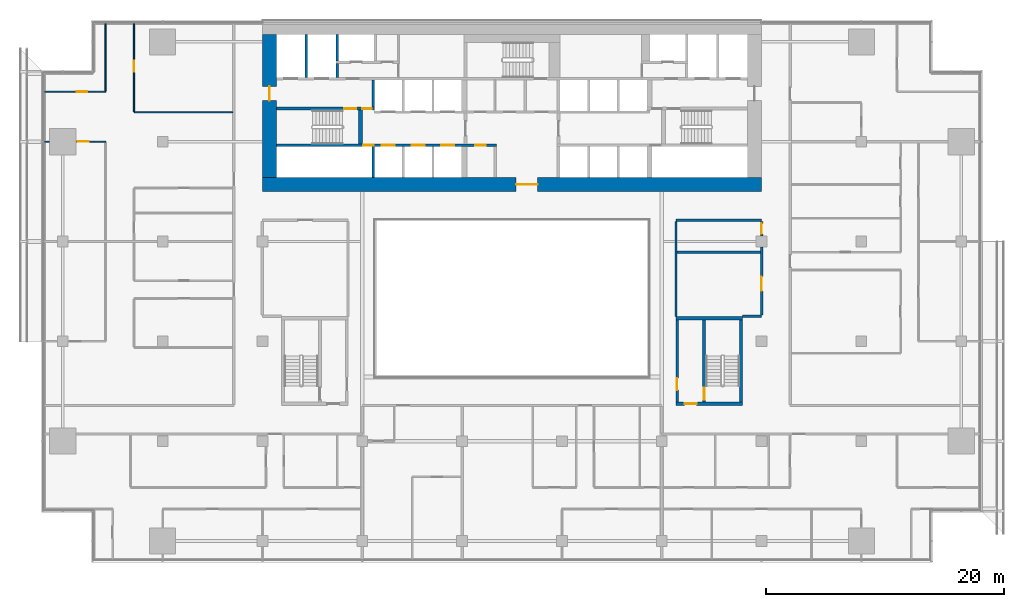
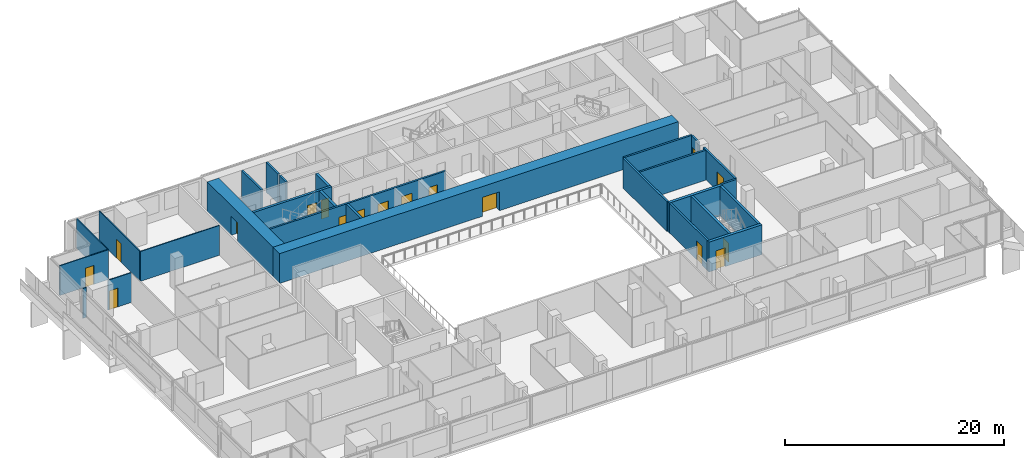
# One storey, part 18 of 25: 27 walls, 17 doors, 17 openings.
"""IFC4 building model written with IfcOpenShell, lengths in metres."""

from ifc_helpers import new_model, si_unit, direction, frame, frame_2d, origin, place, context, subcontext, project, spatial, rectangle, extrude, material, layer, layer_set, type_object, element, fill, save


model = new_model("IFC4")

# Units and contexts
model_context = context("Model", 3, precision=1e-05, world=origin(), true_north=direction((0.0, 1.0)))
body_context = subcontext(model_context, "Body", "Model", "MODEL_VIEW")
ifc_project = project(units=[si_unit("LENGTHUNIT", "METRE"), si_unit("AREAUNIT", "SQUARE_METRE"), si_unit("VOLUMEUNIT", "CUBIC_METRE"), si_unit("PLANEANGLEUNIT", "RADIAN"), si_unit("MASSUNIT", "GRAM", prefix="KILO")], contexts=[model_context])

# Site, building, storey
site_placement = place(None, origin())
site = spatial("IfcSite", under=ifc_project, at=site_placement, CompositionType="ELEMENT")
building_placement = place(site_placement, origin())
building = spatial("IfcBuilding", under=site, at=building_placement, Name="Saffron Gate Tower", CompositionType="ELEMENT")
storey_placement = place(building_placement, frame((0.0, 0.0, 73.199951171875)))
storey = spatial("IfcBuildingStorey", under=building, at=storey_placement, Name="L17", CompositionType="ELEMENT", Elevation=73.199951171875)

# Wall, opening, door
ifc_material_1 = material(Name="Concrete C70", Category="concrete")
ifc_layer_1 = layer(ifc_material_1, 1.199951171875)
ifc_layer_set_1 = layer_set([ifc_layer_1], Name="CW1 RC core wall 1200 C70")
wall_type_1 = type_object("IfcWallType", Name="CW1 RC core wall 1200 C70", PredefinedType="SOLIDWALL", material=ifc_layer_set_1)
wall_1_placement = place(storey_placement, frame((66.60009765625, 61.800048828125, 0.0), z_axis=(0.0, 0.0, 1.0), x_axis=(1.0, 0.0, 0.0)))
wall_1 = element("IfcWall", 1, at=wall_1_placement, inside=storey, type_object=wall_type_1, Name="Wall CW1-L17-1", PredefinedType="SOLIDWALL", context=body_context, shape_type="SweptSolid", body=[
    extrude(rectangle(XDim=42.0, YDim=1.199951171875, at=frame_2d((21.0, 0.0))), origin(), (0.0, 0.0, 1.0), 3.320068359375),
])
opening_1_placement = place(wall_1_placement, frame((21.35009765625, 0.0, 0.0)))
opening_1 = element("IfcOpeningElement", 2, at=opening_1_placement, cuts=wall_1, Name="Opening CR-09", PredefinedType="OPENING", context=body_context, shape_type="SweptSolid", body=[
    extrude(rectangle(XDim=1.800048828125, YDim=2.10009765625, at=frame_2d((0.89990234375, 1.050048828125))), frame((0.0, 0.60986328125, 0.0), z_axis=(0.0, -1.0, 0.0), x_axis=(1.0, 0.0, 0.0)), (0.0, 0.0, 1.0), 1.219970703125),
])
ifc_material_2 = material(Name="Steel fire door set", Category="steel")
door_type_1 = type_object("IfcDoorType", Name="CD1 Core entrance door 1800x2100 EI 120", OperationType="NOTDEFINED", PredefinedType="DOOR", material=ifc_material_2)
door_1_placement = place(opening_1_placement, origin())
door_1 = element("IfcDoor", 3, at=door_1_placement, inside=storey, type_object=door_type_1, Name="DOOR CR-09", OperationType="DOUBLE_DOOR_SINGLE_SWING", OverallHeight=2.10009765625, OverallWidth=1.800048828125, PredefinedType="DOOR", context=body_context, shape_type="SweptSolid", body=[
    extrude(rectangle(XDim=1.800048828125, YDim=2.10009765625, at=frame_2d((0.89990234375, 1.050048828125))), frame((0.0, 0.02490234375, 0.0), z_axis=(0.0, -1.0, 0.0), x_axis=(1.0, 0.0, 0.0)), (0.0, 0.0, 1.0), 0.050048828125),
])
fill(opening_1, door_1)

wall_2_placement = place(storey_placement, frame((67.199951171875, 62.39990234375, 0.0), z_axis=(0.0, 0.0, 1.0), x_axis=(0.0, 1.0, 0.0)))
wall_2 = element("IfcWall", 4, at=wall_2_placement, inside=storey, type_object=wall_type_1, Name="Wall CW1-L17-3", PredefinedType="SOLIDWALL", context=body_context, shape_type="SweptSolid", body=[
    extrude(rectangle(XDim=12.0, YDim=1.199951171875, at=frame_2d((6.0, 0.0))), origin(), (0.0, 0.0, 1.0), 3.320068359375),
])
opening_2_placement = place(wall_2_placement, frame((6.449951171875, 0.0, 0.0)))
opening_2 = element("IfcOpeningElement", 5, at=opening_2_placement, cuts=wall_2, Name="Opening CR-10", PredefinedType="OPENING", context=body_context, shape_type="SweptSolid", body=[
    extrude(rectangle(XDim=1.199951171875, YDim=2.10009765625, at=frame_2d((0.60009765625, 1.050048828125))), frame((0.0, 0.60986328125, 0.0), z_axis=(0.0, -1.0, 0.0), x_axis=(1.0, 0.0, 0.0)), (0.0, 0.0, 1.0), 1.219970703125),
])
door_type_2 = type_object("IfcDoorType", Name="CD7 Core entrance door 1200x2100 EI 120", OperationType="NOTDEFINED", PredefinedType="DOOR", material=ifc_material_2)
door_2_placement = place(opening_2_placement, origin())
door_2 = element("IfcDoor", 6, at=door_2_placement, inside=storey, type_object=door_type_2, Name="DOOR CR-10", OperationType="SINGLE_SWING_LEFT", OverallHeight=2.10009765625, OverallWidth=1.199951171875, PredefinedType="DOOR", context=body_context, shape_type="SweptSolid", body=[
    extrude(rectangle(XDim=1.199951171875, YDim=2.10009765625, at=frame_2d((0.60009765625, 1.050048828125))), frame((0.0, 0.02490234375, 0.0), z_axis=(0.0, -1.0, 0.0), x_axis=(1.0, 0.0, 0.0)), (0.0, 0.0, 1.0), 0.050048828125),
])
fill(opening_2, door_2)

ifc_material_3 = material(Name="Gypsum board partition on steel studs", Category="steel")
ifc_layer_2 = layer(ifc_material_3, 0.199951171875)
ifc_layer_set_2 = layer_set([ifc_layer_2], Name="CW10 Core partition 200")
wall_type_2 = type_object("IfcWallType", Name="CW10 Core partition 200", PredefinedType="PARTITIONING", material=ifc_layer_set_2)
wall_3_placement = place(storey_placement, frame((101.5, 43.5, 0.0), z_axis=(0.0, 0.0, 1.0), x_axis=(0.0, 1.0, 0.0)))
wall_3 = element("IfcWall", 7, at=wall_3_placement, inside=storey, type_object=wall_type_2, Name="Wall CW10-L17-E-2", PredefinedType="PARTITIONING", context=body_context, shape_type="SweptSolid", body=[
    extrude(rectangle(XDim=6.89990234375, YDim=0.199951171875, at=frame_2d((3.449951171875, 0.0))), origin(), (0.0, 0.0, 1.0), 3.320068359375),
])
opening_3_placement = place(wall_3_placement, frame((1.0, 0.0, 0.0)))
opening_3 = element("IfcOpeningElement", 8, at=opening_3_placement, cuts=wall_3, Name="Opening CR-22", PredefinedType="OPENING", context=body_context, shape_type="SweptSolid", body=[
    extrude(rectangle(XDim=1.0, YDim=2.10009765625, at=frame_2d((0.5, 1.050048828125))), frame((0.0, 0.10986328125, 0.0), z_axis=(0.0, -1.0, 0.0), x_axis=(1.0, 0.0, 0.0)), (0.0, 0.0, 1.0), 0.219970703125),
])
door_type_3 = type_object("IfcDoorType", Name="CD4 Lobby door 1000x2100 EI 120", OperationType="NOTDEFINED", PredefinedType="DOOR", material=ifc_material_2)
door_3_placement = place(opening_3_placement, origin())
door_3 = element("IfcDoor", 9, at=door_3_placement, inside=storey, type_object=door_type_3, Name="DOOR CR-22", OperationType="SINGLE_SWING_LEFT", OverallHeight=2.10009765625, OverallWidth=1.0, PredefinedType="DOOR", context=body_context, shape_type="SweptSolid", body=[
    extrude(rectangle(XDim=1.0, YDim=2.10009765625, at=frame_2d((0.5, 1.050048828125))), frame((0.0, 0.02490234375, 0.0), z_axis=(0.0, -1.0, 0.0), x_axis=(1.0, 0.0, 0.0)), (0.0, 0.0, 1.0), 0.050048828125),
])
fill(opening_3, door_3)

# Wall
ifc_layer_3 = layer(ifc_material_1, 0.25)
ifc_layer_set_3 = layer_set([ifc_layer_3], Name="CW2 RC core wall 250 C70")
wall_type_3 = type_object("IfcWallType", Name="CW2 RC core wall 250 C70", PredefinedType="SOLIDWALL", material=ifc_layer_set_3)
wall_4_placement = place(storey_placement, frame((75.925048828125, 62.39990234375, 0.0), z_axis=(0.0, 0.0, 1.0), x_axis=(0.0, 1.0, 0.0)))
element("IfcWall", 10, at=wall_4_placement, inside=storey, type_object=wall_type_3, Name="Wall CW2-L17-5", PredefinedType="SOLIDWALL", context=body_context, shape_type="SweptSolid", body=[
    extrude(rectangle(XDim=2.60009765625, YDim=0.25, at=frame_2d((1.300048828125, 0.0))), origin(), (0.0, 0.0, 1.0), 3.320068359375),
])

# Wall, openings, doors
wall_5_placement = place(storey_placement, frame((67.800048828125, 68.175048828125, 0.0), z_axis=(0.0, 0.0, 1.0), x_axis=(1.0, 0.0, 0.0)))
wall_5 = element("IfcWall", 11, at=wall_5_placement, inside=storey, type_object=wall_type_3, Name="Wall CW2-L17-30", PredefinedType="SOLIDWALL", context=body_context, shape_type="SweptSolid", body=[
    extrude(rectangle(XDim=8.25, YDim=0.25, at=frame_2d((4.125, 0.0))), origin(), (0.0, 0.0, 1.0), 3.320068359375),
])
opening_4_placement = place(wall_5_placement, frame((5.699951171875, 0.0, 0.0)))
opening_4 = element("IfcOpeningElement", 12, at=opening_4_placement, cuts=wall_5, Name="Opening CR-15", PredefinedType="OPENING", context=body_context, shape_type="SweptSolid", body=[
    extrude(rectangle(XDim=1.0, YDim=2.10009765625, at=frame_2d((0.5, 1.050048828125))), frame((0.0, 0.135009765625, 0.0), z_axis=(0.0, -1.0, 0.0), x_axis=(1.0, 0.0, 0.0)), (0.0, 0.0, 1.0), 0.27001953125),
])
opening_5_placement = place(wall_5_placement, frame((7.199951171875, 0.0, 0.0)))
opening_5 = element("IfcOpeningElement", 13, at=opening_5_placement, cuts=wall_5, Name="Opening CR-06", PredefinedType="OPENING", context=body_context, shape_type="SweptSolid", body=[
    extrude(rectangle(XDim=0.800048828125, YDim=2.10009765625, at=frame_2d((0.39990234375, 1.050048828125))), frame((0.0, 0.135009765625, 0.0), z_axis=(0.0, -1.0, 0.0), x_axis=(1.0, 0.0, 0.0)), (0.0, 0.0, 1.0), 0.27001953125),
])
door_type_4 = type_object("IfcDoorType", Name="CD5 Stair door 1000x2100 EI 120", OperationType="NOTDEFINED", PredefinedType="DOOR", material=ifc_material_2)
door_4_placement = place(opening_4_placement, origin())
door_4 = element("IfcDoor", 14, at=door_4_placement, inside=storey, type_object=door_type_4, Name="DOOR CR-15", OperationType="SINGLE_SWING_RIGHT", OverallHeight=2.10009765625, OverallWidth=1.0, PredefinedType="DOOR", context=body_context, shape_type="SweptSolid", body=[
    extrude(rectangle(XDim=1.0, YDim=2.10009765625, at=frame_2d((0.5, 1.050048828125))), frame((0.0, 0.02490234375, 0.0), z_axis=(0.0, -1.0, 0.0), x_axis=(1.0, 0.0, 0.0)), (0.0, 0.0, 1.0), 0.050048828125),
])
fill(opening_4, door_4)
door_type_5 = type_object("IfcDoorType", Name="CD6 Lobby door 800x2100 EI 120", OperationType="NOTDEFINED", PredefinedType="DOOR", material=ifc_material_2)
door_5_placement = place(opening_5_placement, origin())
door_5 = element("IfcDoor", 15, at=door_5_placement, inside=storey, type_object=door_type_5, Name="DOOR CR-06", OperationType="SINGLE_SWING_LEFT", OverallHeight=2.10009765625, OverallWidth=0.800048828125, PredefinedType="DOOR", context=body_context, shape_type="SweptSolid", body=[
    extrude(rectangle(XDim=0.800048828125, YDim=2.10009765625, at=frame_2d((0.39990234375, 1.050048828125))), frame((0.0, 0.02490234375, 0.0), z_axis=(0.0, -1.0, 0.0), x_axis=(1.0, 0.0, 0.0)), (0.0, 0.0, 1.0), 0.050048828125),
])
fill(opening_5, door_5)

# Wall
wall_6_placement = place(storey_placement, frame((75.925048828125, 68.300048828125, 0.0), z_axis=(0.0, 0.0, 1.0), x_axis=(0.0, 1.0, 0.0)))
element("IfcWall", 16, at=wall_6_placement, inside=storey, type_object=wall_type_3, Name="Wall CW2-L17-32", PredefinedType="SOLIDWALL", context=body_context, shape_type="SweptSolid", body=[
    extrude(rectangle(XDim=2.300048828125, YDim=0.25, at=frame_2d((1.14990234375, 0.0))), origin(), (0.0, 0.0, 1.0), 3.320068359375),
])

# Wall, opening, door
wall_7_placement = place(storey_placement, frame((103.77490234375, 43.5, 0.0), z_axis=(0.0, 0.0, 1.0), x_axis=(0.0, 1.0, 0.0)))
wall_7 = element("IfcWall", 17, at=wall_7_placement, inside=storey, type_object=wall_type_3, Name="Wall CW2-L17-E-3", PredefinedType="SOLIDWALL", context=body_context, shape_type="SweptSolid", body=[
    extrude(rectangle(XDim=6.89990234375, YDim=0.25, at=frame_2d((3.449951171875, 0.0))), origin(), (0.0, 0.0, 1.0), 3.320068359375),
])
opening_6_placement = place(wall_7_placement, frame((0.199951171875, 0.0, 0.0)))
opening_6 = element("IfcOpeningElement", 18, at=opening_6_placement, cuts=wall_7, Name="Opening CR-23", PredefinedType="OPENING", context=body_context, shape_type="SweptSolid", body=[
    extrude(rectangle(XDim=1.0, YDim=2.10009765625, at=frame_2d((0.5, 1.050048828125))), frame((0.0, 0.135009765625, 0.0), z_axis=(0.0, -1.0, 0.0), x_axis=(1.0, 0.0, 0.0)), (0.0, 0.0, 1.0), 0.27001953125),
])
door_6_placement = place(opening_6_placement, origin())
door_6 = element("IfcDoor", 19, at=door_6_placement, inside=storey, type_object=door_type_4, Name="DOOR CR-23", OperationType="SINGLE_SWING_RIGHT", OverallHeight=2.10009765625, OverallWidth=1.0, PredefinedType="DOOR", context=body_context, shape_type="SweptSolid", body=[
    extrude(rectangle(XDim=1.0, YDim=2.10009765625, at=frame_2d((0.5, 1.050048828125))), frame((0.0, 0.02490234375, 0.0), z_axis=(0.0, -1.0, 0.0), x_axis=(1.0, 0.0, 0.0)), (0.0, 0.0, 1.0), 0.050048828125),
])
fill(opening_6, door_6)

# Wall
wall_8_placement = place(storey_placement, frame((106.875, 43.5, 0.0), z_axis=(0.0, 0.0, 1.0), x_axis=(0.0, 1.0, 0.0)))
element("IfcWall", 20, at=wall_8_placement, inside=storey, type_object=wall_type_3, Name="Wall CW2-L17-E-4", PredefinedType="SOLIDWALL", context=body_context, shape_type="SweptSolid", body=[
    extrude(rectangle(XDim=6.89990234375, YDim=0.25, at=frame_2d((3.449951171875, 0.0))), origin(), (0.0, 0.0, 1.0), 3.320068359375),
])

# Wall, openings, doors
ifc_layer_4 = layer(ifc_material_1, 0.199951171875)
ifc_layer_set_4 = layer_set([ifc_layer_4], Name="CW3 RC core wall 200 C70")
wall_type_4 = type_object("IfcWallType", Name="CW3 RC core wall 200 C70", PredefinedType="SOLIDWALL", material=ifc_layer_set_4)
wall_9_placement = place(storey_placement, frame((67.800048828125, 65.10009765625, 0.0), z_axis=(0.0, 0.0, 1.0), x_axis=(1.0, 0.0, 0.0)))
wall_9 = element("IfcWall", 21, at=wall_9_placement, inside=storey, type_object=wall_type_4, Name="Wall CW3-L17-14", PredefinedType="SOLIDWALL", context=body_context, shape_type="SweptSolid", body=[
    extrude(rectangle(XDim=18.5, YDim=0.199951171875, at=frame_2d((9.25, 0.0))), origin(), (0.0, 0.0, 1.0), 3.320068359375),
])
opening_7_placement = place(wall_9_placement, frame((7.27001953125, 0.0, 0.0)))
opening_7 = element("IfcOpeningElement", 22, at=opening_7_placement, cuts=wall_9, Name="Opening CR-49", PredefinedType="OPENING", context=body_context, shape_type="SweptSolid", body=[
    extrude(rectangle(XDim=0.89990234375, YDim=2.10009765625, at=frame_2d((0.449951171875, 1.050048828125))), frame((0.0, 0.10986328125, 0.0), z_axis=(0.0, -1.0, 0.0), x_axis=(1.0, 0.0, 0.0)), (0.0, 0.0, 1.0), 0.219970703125),
])
opening_8_placement = place(wall_9_placement, frame((8.85009765625, 0.0, 0.0)))
opening_8 = element("IfcOpeningElement", 23, at=opening_8_placement, cuts=wall_9, Name="Opening LD-LR1", PredefinedType="OPENING", context=body_context, shape_type="SweptSolid", body=[
    extrude(rectangle(XDim=1.10009765625, YDim=2.10009765625, at=frame_2d((0.550048828125, 1.050048828125))), frame((0.0, 0.10986328125, 0.0), z_axis=(0.0, -1.0, 0.0), x_axis=(1.0, 0.0, 0.0)), (0.0, 0.0, 1.0), 0.219970703125),
])
opening_9_placement = place(wall_9_placement, frame((11.35009765625, 0.0, 0.0)))
opening_9 = element("IfcOpeningElement", 24, at=opening_9_placement, cuts=wall_9, Name="Opening LD-LR2", PredefinedType="OPENING", context=body_context, shape_type="SweptSolid", body=[
    extrude(rectangle(XDim=1.10009765625, YDim=2.10009765625, at=frame_2d((0.550048828125, 1.050048828125))), frame((0.0, 0.10986328125, 0.0), z_axis=(0.0, -1.0, 0.0), x_axis=(1.0, 0.0, 0.0)), (0.0, 0.0, 1.0), 0.219970703125),
])
opening_10_placement = place(wall_9_placement, frame((13.85009765625, 0.0, 0.0)))
opening_10 = element("IfcOpeningElement", 25, at=opening_10_placement, cuts=wall_9, Name="Opening LD-LR3", PredefinedType="OPENING", context=body_context, shape_type="SweptSolid", body=[
    extrude(rectangle(XDim=1.10009765625, YDim=2.10009765625, at=frame_2d((0.550048828125, 1.050048828125))), frame((0.0, 0.10986328125, 0.0), z_axis=(0.0, -1.0, 0.0), x_axis=(1.0, 0.0, 0.0)), (0.0, 0.0, 1.0), 0.219970703125),
])
opening_11_placement = place(wall_9_placement, frame((16.699951171875, 0.0, 0.0)))
opening_11 = element("IfcOpeningElement", 26, at=opening_11_placement, cuts=wall_9, Name="Opening CR-69", PredefinedType="OPENING", context=body_context, shape_type="SweptSolid", body=[
    extrude(rectangle(XDim=0.89990234375, YDim=2.10009765625, at=frame_2d((0.449951171875, 1.050048828125))), frame((0.0, 0.10986328125, 0.0), z_axis=(0.0, -1.0, 0.0), x_axis=(1.0, 0.0, 0.0)), (0.0, 0.0, 1.0), 0.219970703125),
])
door_type_6 = type_object("IfcDoorType", Name="CD2 Riser door 900x2100 EI 60", OperationType="NOTDEFINED", PredefinedType="DOOR", material=ifc_material_2)
door_7_placement = place(opening_7_placement, origin())
door_7 = element("IfcDoor", 27, at=door_7_placement, inside=storey, type_object=door_type_6, Name="DOOR CR-49", OperationType="SINGLE_SWING_LEFT", OverallHeight=2.10009765625, OverallWidth=0.89990234375, PredefinedType="DOOR", context=body_context, shape_type="SweptSolid", body=[
    extrude(rectangle(XDim=0.89990234375, YDim=2.10009765625, at=frame_2d((0.449951171875, 1.050048828125))), frame((0.0, 0.02490234375, 0.0), z_axis=(0.0, -1.0, 0.0), x_axis=(1.0, 0.0, 0.0)), (0.0, 0.0, 1.0), 0.050048828125),
])
fill(opening_7, door_7)
door_type_7 = type_object("IfcDoorType", Name="CD9 Room door 900x2100 EI 60", OperationType="NOTDEFINED", PredefinedType="DOOR", material=ifc_material_2)
door_8_placement = place(opening_11_placement, origin())
door_8 = element("IfcDoor", 28, at=door_8_placement, inside=storey, type_object=door_type_7, Name="DOOR CR-69", OperationType="SINGLE_SWING_RIGHT", OverallHeight=2.10009765625, OverallWidth=0.89990234375, PredefinedType="DOOR", context=body_context, shape_type="SweptSolid", body=[
    extrude(rectangle(XDim=0.89990234375, YDim=2.10009765625, at=frame_2d((0.449951171875, 1.050048828125))), frame((0.0, 0.02490234375, 0.0), z_axis=(0.0, -1.0, 0.0), x_axis=(1.0, 0.0, 0.0)), (0.0, 0.0, 1.0), 0.050048828125),
])
fill(opening_11, door_8)
ifc_material_4 = material(Name="Stainless steel landing door", Category="steel")
door_type_8 = type_object("IfcDoorType", Name="LD Lift landing door 1100x2100 EI 120", OperationType="SLIDING_TO_LEFT", PredefinedType="DOOR", material=ifc_material_4)
door_9_placement = place(opening_8_placement, origin())
door_9 = element("IfcDoor", 29, at=door_9_placement, inside=storey, type_object=door_type_8, Name="LANDING DOOR LD-LR1", OperationType="SLIDING_TO_LEFT", OverallHeight=2.10009765625, OverallWidth=1.10009765625, PredefinedType="DOOR", context=body_context, shape_type="SweptSolid", body=[
    extrude(rectangle(XDim=1.10009765625, YDim=2.10009765625, at=frame_2d((0.550048828125, 1.050048828125))), frame((0.0, 0.02490234375, 0.0), z_axis=(0.0, -1.0, 0.0), x_axis=(1.0, 0.0, 0.0)), (0.0, 0.0, 1.0), 0.050048828125),
])
fill(opening_8, door_9)
door_10_placement = place(opening_9_placement, origin())
door_10 = element("IfcDoor", 30, at=door_10_placement, inside=storey, type_object=door_type_8, Name="LANDING DOOR LD-LR2", OperationType="SLIDING_TO_LEFT", OverallHeight=2.10009765625, OverallWidth=1.10009765625, PredefinedType="DOOR", context=body_context, shape_type="SweptSolid", body=[
    extrude(rectangle(XDim=1.10009765625, YDim=2.10009765625, at=frame_2d((0.550048828125, 1.050048828125))), frame((0.0, 0.02490234375, 0.0), z_axis=(0.0, -1.0, 0.0), x_axis=(1.0, 0.0, 0.0)), (0.0, 0.0, 1.0), 0.050048828125),
])
fill(opening_9, door_10)
door_11_placement = place(opening_10_placement, origin())
door_11 = element("IfcDoor", 31, at=door_11_placement, inside=storey, type_object=door_type_8, Name="LANDING DOOR LD-LR3", OperationType="SLIDING_TO_LEFT", OverallHeight=2.10009765625, OverallWidth=1.10009765625, PredefinedType="DOOR", context=body_context, shape_type="SweptSolid", body=[
    extrude(rectangle(XDim=1.10009765625, YDim=2.10009765625, at=frame_2d((0.550048828125, 1.050048828125))), frame((0.0, 0.02490234375, 0.0), z_axis=(0.0, -1.0, 0.0), x_axis=(1.0, 0.0, 0.0)), (0.0, 0.0, 1.0), 0.050048828125),
])
fill(opening_10, door_11)

# Walls
wall_10_placement = place(storey_placement, frame((70.300048828125, 70.800048828125, 0.0), z_axis=(0.0, 0.0, 1.0), x_axis=(0.0, 1.0, 0.0)))
element("IfcWall", 32, at=wall_10_placement, inside=storey, type_object=wall_type_4, Name="Wall CW3-L17-35", PredefinedType="SOLIDWALL", context=body_context, shape_type="SweptSolid", body=[
    extrude(rectangle(XDim=3.599853515625, YDim=0.199951171875, at=frame_2d((1.7998046875, 0.0))), origin(), (0.0, 0.0, 1.0), 3.320068359375),
])
wall_11_placement = place(storey_placement, frame((72.89990234375, 70.800048828125, 0.0), z_axis=(0.0, 0.0, 1.0), x_axis=(0.0, 1.0, 0.0)))
element("IfcWall", 33, at=wall_11_placement, inside=storey, type_object=wall_type_4, Name="Wall CW3-L17-36", PredefinedType="SOLIDWALL", context=body_context, shape_type="SweptSolid", body=[
    extrude(rectangle(XDim=1.199951171875, YDim=0.199951171875, at=frame_2d((0.60009765625, 0.0))), origin(), (0.0, 0.0, 1.0), 3.320068359375),
])
wall_12_placement = place(storey_placement, frame((72.89990234375, 72.199951171875, 0.0), z_axis=(0.0, 0.0, 1.0), x_axis=(0.0, 1.0, 0.0)))
element("IfcWall", 34, at=wall_12_placement, inside=storey, type_object=wall_type_4, Name="Wall CW3-L17-45", PredefinedType="SOLIDWALL", context=body_context, shape_type="SweptSolid", body=[
    extrude(rectangle(XDim=2.199951171875, YDim=0.199951171875, at=frame_2d((1.10009765625, 0.0))), origin(), (0.0, 0.0, 1.0), 3.320068359375),
])
ifc_layer_5 = layer(ifc_material_1, 0.300048828125)
ifc_layer_set_5 = layer_set([ifc_layer_5], Name="CW5 RC core wall 300 C70")
wall_type_5 = type_object("IfcWallType", Name="CW5 RC core wall 300 C70", PredefinedType="SOLIDWALL", material=ifc_layer_set_5)
wall_13_placement = place(storey_placement, frame((74.85009765625, 65.199951171875, 0.0), z_axis=(0.0, 0.0, 1.0), x_axis=(0.0, 1.0, 0.0)))
element("IfcWall", 35, at=wall_13_placement, inside=storey, type_object=wall_type_5, Name="Wall CW5-L17-16", PredefinedType="SOLIDWALL", context=body_context, shape_type="SweptSolid", body=[
    extrude(rectangle(XDim=2.85009765625, YDim=0.300048828125, at=frame_2d((1.425048828125, 0.0))), origin(), (0.0, 0.0, 1.0), 3.320068359375),
])

# Wall, opening, door
wall_14_placement = place(storey_placement, frame((101.39990234375, 43.35009765625, 0.0), z_axis=(0.0, 0.0, 1.0), x_axis=(1.0, 0.0, 0.0)))
wall_14 = element("IfcWall", 36, at=wall_14_placement, inside=storey, type_object=wall_type_5, Name="Wall CW5-L17-E-1", PredefinedType="SOLIDWALL", context=body_context, shape_type="SweptSolid", body=[
    extrude(rectangle(XDim=5.60009765625, YDim=0.300048828125, at=frame_2d((2.800048828125, 0.0))), origin(), (0.0, 0.0, 1.0), 3.320068359375),
])
opening_12_placement = place(wall_14_placement, frame((0.72509765625, 0.0, 0.0)))
opening_12 = element("IfcOpeningElement", 37, at=opening_12_placement, cuts=wall_14, Name="Opening CR-21", PredefinedType="OPENING", context=body_context, shape_type="SweptSolid", body=[
    extrude(rectangle(XDim=1.0, YDim=2.10009765625, at=frame_2d((0.5, 1.050048828125))), frame((0.0, 0.16015625, 0.0), z_axis=(0.0, -1.0, 0.0), x_axis=(1.0, 0.0, 0.0)), (0.0, 0.0, 1.0), 0.320068359375),
])
door_12_placement = place(opening_12_placement, origin())
door_12 = element("IfcDoor", 38, at=door_12_placement, inside=storey, type_object=door_type_3, Name="DOOR CR-21", OperationType="SINGLE_SWING_RIGHT", OverallHeight=2.10009765625, OverallWidth=1.0, PredefinedType="DOOR", context=body_context, shape_type="SweptSolid", body=[
    extrude(rectangle(XDim=1.0, YDim=2.10009765625, at=frame_2d((0.5, 1.050048828125))), frame((0.0, 0.02490234375, 0.0), z_axis=(0.0, -1.0, 0.0), x_axis=(1.0, 0.0, 0.0)), (0.0, 0.0, 1.0), 0.050048828125),
])
fill(opening_12, door_12)

# Walls
wall_15_placement = place(storey_placement, frame((101.39990234375, 50.550048828125, 0.0), z_axis=(0.0, 0.0, 1.0), x_axis=(1.0, 0.0, 0.0)))
element("IfcWall", 39, at=wall_15_placement, inside=storey, type_object=wall_type_5, Name="Wall CW5-L17-E-5", PredefinedType="SOLIDWALL", context=body_context, shape_type="SweptSolid", body=[
    extrude(rectangle(XDim=5.60009765625, YDim=0.300048828125, at=frame_2d((2.800048828125, 0.0))), origin(), (0.0, 0.0, 1.0), 3.320068359375),
])
ifc_material_5 = material(Name="Plasterboard on steel studs", Category="steel")
ifc_layer_6 = layer(ifc_material_5, 0.10009765625)
ifc_layer_set_6 = layer_set([ifc_layer_6], Name="PW1 Partition 100")
wall_type_6 = type_object("IfcWallType", Name="PW1 Partition 100", PredefinedType="PARTITIONING", material=ifc_layer_set_6)
wall_16_placement = place(storey_placement, frame((48.280029296875, 65.39990234375, 0.0), z_axis=(0.0, 0.0, 1.0), x_axis=(1.0, 0.0, 0.0)))
element("IfcWall", 40, at=wall_16_placement, inside=storey, type_object=wall_type_6, Name="Partition A4-44", PredefinedType="PARTITIONING", context=body_context, shape_type="SweptSolid", body=[
    extrude(rectangle(XDim=0.39990234375, YDim=0.10009765625, at=frame_2d((0.199951171875, 0.0))), origin(), (0.0, 0.0, 1.0), 3.320068359375),
])

# Wall, opening, door
wall_17_placement = place(storey_placement, frame((53.39990234375, 65.39990234375, 0.0), z_axis=(0.0, 0.0, 1.0), x_axis=(-1.0, 0.0, 0.0)))
wall_17 = element("IfcWall", 41, at=wall_17_placement, inside=storey, type_object=wall_type_6, Name="Partition A4-45", PredefinedType="PARTITIONING", context=body_context, shape_type="SweptSolid", body=[
    extrude(rectangle(XDim=2.47998046875, YDim=0.10009765625, at=frame_2d((1.239990234375, 0.0))), origin(), (0.0, 0.0, 1.0), 3.320068359375),
])
opening_13_placement = place(wall_17_placement, frame((1.429931640625, 0.0, 0.0)))
opening_13 = element("IfcOpeningElement", 42, at=opening_13_placement, cuts=wall_17, Name="Opening A4-25", PredefinedType="OPENING", context=body_context, shape_type="SweptSolid", body=[
    extrude(rectangle(XDim=0.89990234375, YDim=2.10009765625, at=frame_2d((0.449951171875, 1.050048828125))), frame((0.0, 0.06005859375, 0.0), z_axis=(0.0, -1.0, 0.0), x_axis=(1.0, 0.0, 0.0)), (0.0, 0.0, 1.0), 0.1201171875),
])
ifc_material_6 = material(Name="Timber door set", Category="wood")
door_type_9 = type_object("IfcDoorType", Name="RD1 Room door 900x2100", OperationType="NOTDEFINED", PredefinedType="DOOR", material=ifc_material_6)
door_13_placement = place(opening_13_placement, origin())
door_13 = element("IfcDoor", 43, at=door_13_placement, inside=storey, type_object=door_type_9, Name="Door A4-25", OperationType="SINGLE_SWING_RIGHT", OverallHeight=2.10009765625, OverallWidth=0.89990234375, PredefinedType="DOOR", context=body_context, shape_type="SweptSolid", body=[
    extrude(rectangle(XDim=0.89990234375, YDim=2.10009765625, at=frame_2d((0.449951171875, 1.050048828125))), frame((0.0, 0.02490234375, 0.0), z_axis=(0.0, -1.0, 0.0), x_axis=(1.0, 0.0, 0.0)), (0.0, 0.0, 1.0), 0.050048828125),
])
fill(opening_13, door_13)

# Wall
wall_18_placement = place(storey_placement, frame((55.800048828125, 67.881103515625, 0.0), z_axis=(0.0, 0.0, 1.0), x_axis=(1.0, 0.0, 0.0)))
element("IfcWall", 44, at=wall_18_placement, inside=storey, type_object=wall_type_6, Name="Partition A4-46", PredefinedType="PARTITIONING", context=body_context, shape_type="SweptSolid", body=[
    extrude(rectangle(XDim=8.300048828125, YDim=0.10009765625, at=frame_2d((4.14990234375, 0.0))), origin(), (0.0, 0.0, 1.0), 3.320068359375),
])

# Wall, opening, door
wall_19_placement = place(storey_placement, frame((48.280029296875, 69.60009765625, 0.0), z_axis=(0.0, 0.0, 1.0), x_axis=(1.0, 0.0, 0.0)))
wall_19 = element("IfcWall", 45, at=wall_19_placement, inside=storey, type_object=wall_type_6, Name="Partition A4-48", PredefinedType="PARTITIONING", context=body_context, shape_type="SweptSolid", body=[
    extrude(rectangle(XDim=5.119873046875, YDim=0.10009765625, at=frame_2d((2.56005859375, 0.0))), origin(), (0.0, 0.0, 1.0), 3.320068359375),
])
opening_14_placement = place(wall_19_placement, frame((2.68701171875, 0.0, 0.0)))
opening_14 = element("IfcOpeningElement", 46, at=opening_14_placement, cuts=wall_19, Name="Opening A4-26", PredefinedType="OPENING", context=body_context, shape_type="SweptSolid", body=[
    extrude(rectangle(XDim=0.89990234375, YDim=2.10009765625, at=frame_2d((0.449951171875, 1.050048828125))), frame((0.0, 0.06005859375, 0.0), z_axis=(0.0, -1.0, 0.0), x_axis=(1.0, 0.0, 0.0)), (0.0, 0.0, 1.0), 0.1201171875),
])
door_14_placement = place(opening_14_placement, origin())
door_14 = element("IfcDoor", 47, at=door_14_placement, inside=storey, type_object=door_type_9, Name="Door A4-26", OperationType="SINGLE_SWING_RIGHT", OverallHeight=2.10009765625, OverallWidth=0.89990234375, PredefinedType="DOOR", context=body_context, shape_type="SweptSolid", body=[
    extrude(rectangle(XDim=0.89990234375, YDim=2.10009765625, at=frame_2d((0.449951171875, 1.050048828125))), frame((0.0, 0.02490234375, 0.0), z_axis=(0.0, -1.0, 0.0), x_axis=(1.0, 0.0, 0.0)), (0.0, 0.0, 1.0), 0.050048828125),
])
fill(opening_14, door_14)

# Wall
wall_20_placement = place(storey_placement, frame((53.39990234375, 75.320068359375, 0.0), z_axis=(0.0, 0.0, 1.0), x_axis=(0.0, -1.0, 0.0)))
element("IfcWall", 48, at=wall_20_placement, inside=storey, type_object=wall_type_6, Name="Partition A4-50", PredefinedType="PARTITIONING", context=body_context, shape_type="SweptSolid", body=[
    extrude(rectangle(XDim=5.670166015625, YDim=0.10009765625, at=frame_2d((2.8349609375, 0.0))), origin(), (0.0, 0.0, 1.0), 3.320068359375),
])

# Wall, opening, door
wall_21_placement = place(storey_placement, frame((55.800048828125, 75.320068359375, 0.0), z_axis=(0.0, 0.0, 1.0), x_axis=(0.0, -1.0, 0.0)))
wall_21 = element("IfcWall", 49, at=wall_21_placement, inside=storey, type_object=wall_type_6, Name="Partition A4-54", PredefinedType="PARTITIONING", context=body_context, shape_type="SweptSolid", body=[
    extrude(rectangle(XDim=7.38916015625, YDim=0.10009765625, at=frame_2d((3.694580078125, 0.0))), origin(), (0.0, 0.0, 1.0), 3.320068359375),
])
opening_15_placement = place(wall_21_placement, frame((3.12939453125, 0.0, 0.0)))
opening_15 = element("IfcOpeningElement", 50, at=opening_15_placement, cuts=wall_21, Name="Opening A4-27", PredefinedType="OPENING", context=body_context, shape_type="SweptSolid", body=[
    extrude(rectangle(XDim=0.89990234375, YDim=2.10009765625, at=frame_2d((0.449951171875, 1.050048828125))), frame((0.0, 0.06005859375, 0.0), z_axis=(0.0, -1.0, 0.0), x_axis=(1.0, 0.0, 0.0)), (0.0, 0.0, 1.0), 0.1201171875),
])
door_15_placement = place(opening_15_placement, origin())
door_15 = element("IfcDoor", 51, at=door_15_placement, inside=storey, type_object=door_type_9, Name="Door A4-27", OperationType="SINGLE_SWING_LEFT", OverallHeight=2.10009765625, OverallWidth=0.89990234375, PredefinedType="DOOR", context=body_context, shape_type="SweptSolid", body=[
    extrude(rectangle(XDim=0.89990234375, YDim=2.10009765625, at=frame_2d((0.449951171875, 1.050048828125))), frame((0.0, 0.02490234375, 0.0), z_axis=(0.0, -1.0, 0.0), x_axis=(1.0, 0.0, 0.0)), (0.0, 0.0, 1.0), 0.050048828125),
])
fill(opening_15, door_15)

# Walls
ifc_material_7 = material(Name="Clay brick masonry, rendered", Category="masonry")
ifc_layer_7 = layer(ifc_material_7, 0.199951171875)
ifc_layer_set_7 = layer_set([ifc_layer_7], Name="PW3 Corridor wall 200")
wall_type_7 = type_object("IfcWallType", Name="PW3 Corridor wall 200", PredefinedType="PARTITIONING", material=ifc_layer_set_7)
wall_22_placement = place(storey_placement, frame((107.0, 50.699951171875, 0.0), z_axis=(0.0, 0.0, 1.0), x_axis=(1.0, 0.0, 0.0)))
element("IfcWall", 52, at=wall_22_placement, inside=storey, type_object=wall_type_7, Name="Wall A4-24", PredefinedType="PARTITIONING", context=body_context, shape_type="SweptSolid", body=[
    extrude(rectangle(XDim=1.60009765625, YDim=0.199951171875, at=frame_2d((0.800048828125, 0.0))), origin(), (0.0, 0.0, 1.0), 3.320068359375),
])
wall_23_placement = place(storey_placement, frame((101.39990234375, 58.800048828125, 0.0), z_axis=(0.0, 0.0, 1.0), x_axis=(1.0, 0.0, 0.0)))
element("IfcWall", 53, at=wall_23_placement, inside=storey, type_object=wall_type_7, Name="Wall A4-36", PredefinedType="PARTITIONING", context=body_context, shape_type="SweptSolid", body=[
    extrude(rectangle(XDim=7.2001953125, YDim=0.199951171875, at=frame_2d((3.60009765625, 0.0))), origin(), (0.0, 0.0, 1.0), 3.320068359375),
])
wall_24_placement = place(storey_placement, frame((101.39990234375, 58.699951171875, 0.0), z_axis=(0.0, 0.0, 1.0), x_axis=(0.0, -1.0, 0.0)))
element("IfcWall", 54, at=wall_24_placement, inside=storey, type_object=wall_type_7, Name="Wall A4-83", PredefinedType="PARTITIONING", context=body_context, shape_type="SweptSolid", body=[
    extrude(rectangle(XDim=8.0, YDim=0.199951171875, at=frame_2d((4.0, 0.0))), origin(), (0.0, 0.0, 1.0), 3.320068359375),
])

# Wall, opening, door
wall_25_placement = place(storey_placement, frame((108.60009765625, 50.800048828125, 0.0), z_axis=(0.0, 0.0, 1.0), x_axis=(0.0, 1.0, 0.0)))
wall_25 = element("IfcWall", 55, at=wall_25_placement, inside=storey, type_object=wall_type_7, Name="Wall A4-86", PredefinedType="PARTITIONING", context=body_context, shape_type="SweptSolid", body=[
    extrude(rectangle(XDim=5.72998046875, YDim=0.199951171875, at=frame_2d((2.864990234375, 0.0))), origin(), (0.0, 0.0, 1.0), 3.320068359375),
])
opening_16_placement = place(wall_25_placement, frame((2.050048828125, 0.0, 0.0)))
opening_16 = element("IfcOpeningElement", 56, at=opening_16_placement, cuts=wall_25, Name="Opening A4-46", PredefinedType="OPENING", context=body_context, shape_type="SweptSolid", body=[
    extrude(rectangle(XDim=1.199951171875, YDim=2.10009765625, at=frame_2d((0.60009765625, 1.050048828125))), frame((0.0, 0.10986328125, 0.0), z_axis=(0.0, -1.0, 0.0), x_axis=(1.0, 0.0, 0.0)), (0.0, 0.0, 1.0), 0.219970703125),
])
door_type_10 = type_object("IfcDoorType", Name="HD1 Hall door 1200x2100", OperationType="NOTDEFINED", PredefinedType="DOOR", material=ifc_material_6)
door_16_placement = place(opening_16_placement, origin())
door_16 = element("IfcDoor", 57, at=door_16_placement, inside=storey, type_object=door_type_10, Name="Door A4-46", OperationType="SINGLE_SWING_RIGHT", OverallHeight=2.10009765625, OverallWidth=1.199951171875, PredefinedType="DOOR", context=body_context, shape_type="SweptSolid", body=[
    extrude(rectangle(XDim=1.199951171875, YDim=2.10009765625, at=frame_2d((0.60009765625, 1.050048828125))), frame((0.0, 0.02490234375, 0.0), z_axis=(0.0, -1.0, 0.0), x_axis=(1.0, 0.0, 0.0)), (0.0, 0.0, 1.0), 0.050048828125),
])
fill(opening_16, door_16)

wall_26_placement = place(storey_placement, frame((108.60009765625, 57.469970703125, 0.0), z_axis=(0.0, 0.0, 1.0), x_axis=(0.0, 1.0, 0.0)))
wall_26 = element("IfcWall", 58, at=wall_26_placement, inside=storey, type_object=wall_type_7, Name="Wall A4-87", PredefinedType="PARTITIONING", context=body_context, shape_type="SweptSolid", body=[
    extrude(rectangle(XDim=1.22998046875, YDim=0.199951171875, at=frame_2d((0.614990234375, 0.0))), origin(), (0.0, 0.0, 1.0), 3.320068359375),
])
opening_17_placement = place(wall_26_placement, frame((0.1650390625, 0.0, 0.0)))
opening_17 = element("IfcOpeningElement", 59, at=opening_17_placement, cuts=wall_26, Name="Opening A4-33", PredefinedType="OPENING", context=body_context, shape_type="SweptSolid", body=[
    extrude(rectangle(XDim=0.89990234375, YDim=2.10009765625, at=frame_2d((0.449951171875, 1.050048828125))), frame((0.0, 0.10986328125, 0.0), z_axis=(0.0, -1.0, 0.0), x_axis=(1.0, 0.0, 0.0)), (0.0, 0.0, 1.0), 0.219970703125),
])
door_17_placement = place(opening_17_placement, origin())
door_17 = element("IfcDoor", 60, at=door_17_placement, inside=storey, type_object=door_type_9, Name="Door A4-33", OperationType="SINGLE_SWING_RIGHT", OverallHeight=2.10009765625, OverallWidth=0.89990234375, PredefinedType="DOOR", context=body_context, shape_type="SweptSolid", body=[
    extrude(rectangle(XDim=0.89990234375, YDim=2.10009765625, at=frame_2d((0.449951171875, 1.050048828125))), frame((0.0, 0.02490234375, 0.0), z_axis=(0.0, -1.0, 0.0), x_axis=(1.0, 0.0, 0.0)), (0.0, 0.0, 1.0), 0.050048828125),
])
fill(opening_17, door_17)

# Wall
ifc_layer_8 = layer(ifc_material_7, 0.199951171875)
ifc_layer_set_8 = layer_set([ifc_layer_8], Name="PW5 Room wall 200")
wall_type_8 = type_object("IfcWallType", Name="PW5 Room wall 200", PredefinedType="PARTITIONING", material=ifc_layer_set_8)
wall_27_placement = place(storey_placement, frame((101.5, 56.10009765625, 0.0), z_axis=(0.0, 0.0, 1.0), x_axis=(1.0, 0.0, 0.0)))
element("IfcWall", 61, at=wall_27_placement, inside=storey, type_object=wall_type_8, Name="Wall A4-29", PredefinedType="PARTITIONING", context=body_context, shape_type="SweptSolid", body=[
    extrude(rectangle(XDim=7.0, YDim=0.199951171875, at=frame_2d((3.5, 0.0))), origin(), (0.0, 0.0, 1.0), 3.320068359375),
])

save(model, "model.ifc")
